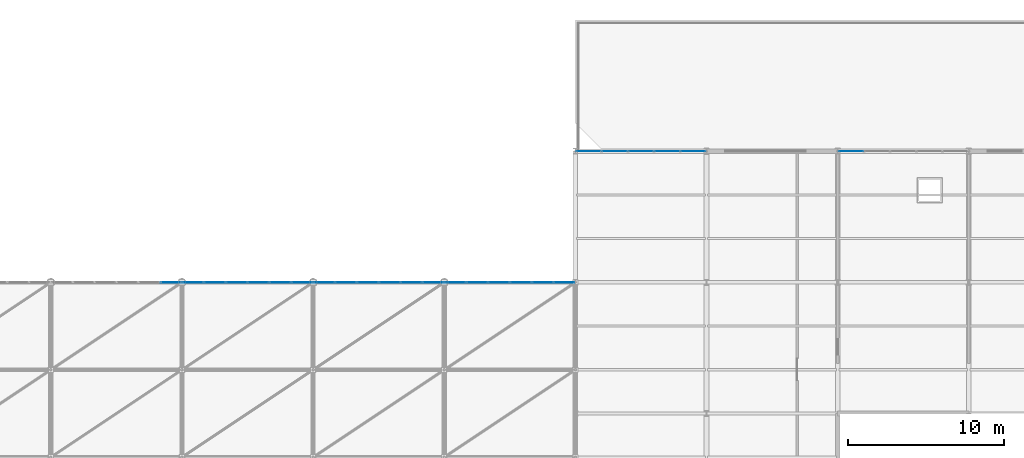
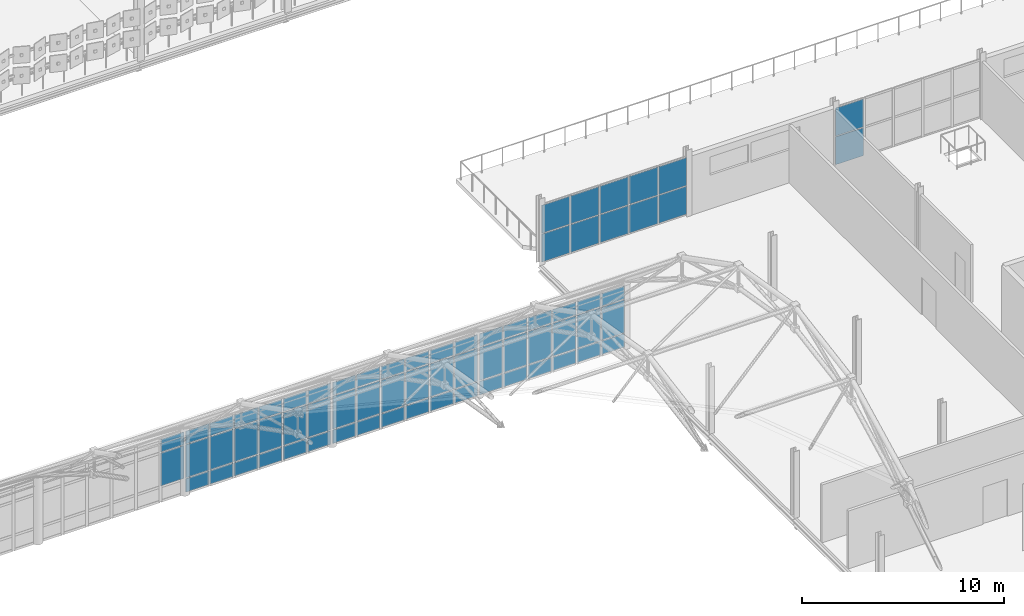
# One storey, part 141 of 184: 68 plates, 6 elements without a shape of their own.
"""IFC4 building model written with IfcOpenShell, lengths in metres."""

from ifc_helpers import new_model, si_unit, direction, frame, origin, origin_2d, place, context, subcontext, project, spatial, rectangle, extrude, material, layer, layer_set, type_object, element, aggregate, save


model = new_model("IFC4")

# Units and contexts
model_context = context("Model", 3, precision=1e-05, world=origin(), true_north=direction((0.0, 1.0)))
body_context = subcontext(model_context, "Body", "Model", "MODEL_VIEW")
ifc_project = project(units=[si_unit("LENGTHUNIT", "METRE"), si_unit("AREAUNIT", "SQUARE_METRE"), si_unit("VOLUMEUNIT", "CUBIC_METRE"), si_unit("PLANEANGLEUNIT", "RADIAN"), si_unit("MASSUNIT", "GRAM", prefix="KILO")], contexts=[model_context])

# Site, building, storey
site_placement = place(None, origin())
site = spatial("IfcSite", under=ifc_project, at=site_placement, CompositionType="ELEMENT")
building_placement = place(site_placement, origin())
building = spatial("IfcBuilding", under=site, at=building_placement, Name="Qalvenar Corner Mobility Hub", CompositionType="ELEMENT")
storey_placement = place(building_placement, frame((0.0, 0.0, 9.0)))
storey = spatial("IfcBuildingStorey", under=building, at=storey_placement, Name="L02", CompositionType="ELEMENT", Elevation=9.0)

# Curtain wall, plates
ifc_material_1 = material(Name="Anodised Aluminium and Low-E Glazing", Category="aluminium")
ifc_layer_1 = layer(ifc_material_1, 0.179931640625)
ifc_layer_set_1 = layer_set([ifc_layer_1], Name="Anodised Aluminium and Low-E Glazing")
curtain_wall_type_1 = type_object("IfcCurtainWallType", Name="CW-CONC-84X42", PredefinedType="NOTDEFINED", material=ifc_layer_set_1)
curtain_wall_1_placement = place(storey_placement, origin())
curtain_wall_1 = element("IfcCurtainWall", 1, at=curtain_wall_1_placement, inside=storey, type_object=curtain_wall_type_1, Name="Glazed Curtain Wall CW-V1-L02-N3", PredefinedType="NOTDEFINED")
ifc_material_2 = material(Name="Solar-Control Low-E Double Glazing", Category="glass")
ifc_layer_2 = layer(ifc_material_2, 0.028076171875)
ifc_layer_set_2 = layer_set([ifc_layer_2], Name="Solar-Control Low-E Double Glazing")
plate_type = type_object("IfcPlateType", Name="PLT-CWP-GLZ1", PredefinedType="CURTAIN_PANEL", material=ifc_layer_set_2)
plate_1_placement = place(storey_placement, frame((83.284912109375, 33.60009765625, 0.927490234375), z_axis=(0.0, 0.0, 1.0), x_axis=(-1.0, 0.0, 0.0)))
plate_1 = element("IfcPlate", 2, at=plate_1_placement, type_object=plate_type, Name="CW-02 panel 1.2", PredefinedType="CURTAIN_PANEL", context=body_context, shape_type="SweptSolid", body=[
    extrude(rectangle(XDim=1.31005859375, YDim=0.028076171875, at=origin_2d()), origin(), (0.0, 0.0, 1.0), 1.9951171875),
])
plate_2_placement = place(storey_placement, frame((83.284912109375, 33.60009765625, 2.9775390625), z_axis=(0.0, 0.0, 1.0), x_axis=(-1.0, 0.0, 0.0)))
plate_2 = element("IfcPlate", 3, at=plate_2_placement, type_object=plate_type, Name="CW-02 panel 1.3", PredefinedType="CURTAIN_PANEL", context=body_context, shape_type="SweptSolid", body=[
    extrude(rectangle(XDim=1.31005859375, YDim=0.028076171875, at=origin_2d()), origin(), (0.0, 0.0, 1.0), 0.767578125),
])
aggregate(curtain_wall_1, [plate_1, plate_2])

curtain_wall_2_placement = place(storey_placement, origin())
curtain_wall_2 = element("IfcCurtainWall", 4, at=curtain_wall_2_placement, inside=storey, type_object=curtain_wall_type_1, Name="Glazed Curtain Wall CW-V1-L02-N4", PredefinedType="NOTDEFINED")
plate_3_placement = place(storey_placement, frame((91.68505859375, 33.60009765625, 0.05517578125), z_axis=(0.0, 0.0, 1.0), x_axis=(-1.0, 0.0, 0.0)))
plate_3 = element("IfcPlate", 5, at=plate_3_placement, type_object=plate_type, Name="CW-02 panel 1.1", PredefinedType="CURTAIN_PANEL", context=body_context, shape_type="SweptSolid", body=[
    extrude(rectangle(XDim=1.31005859375, YDim=0.028076171875, at=origin_2d()), origin(), (0.0, 0.0, 1.0), 0.8173828125),
])
plate_4_placement = place(storey_placement, frame((91.68505859375, 33.60009765625, 0.927490234375), z_axis=(0.0, 0.0, 1.0), x_axis=(-1.0, 0.0, 0.0)))
plate_4 = element("IfcPlate", 6, at=plate_4_placement, type_object=plate_type, Name="CW-02 panel 1.2", PredefinedType="CURTAIN_PANEL", context=body_context, shape_type="SweptSolid", body=[
    extrude(rectangle(XDim=1.31005859375, YDim=0.028076171875, at=origin_2d()), origin(), (0.0, 0.0, 1.0), 1.9951171875),
])
plate_5_placement = place(storey_placement, frame((91.68505859375, 33.60009765625, 2.9775390625), z_axis=(0.0, 0.0, 1.0), x_axis=(-1.0, 0.0, 0.0)))
plate_5 = element("IfcPlate", 7, at=plate_5_placement, type_object=plate_type, Name="CW-02 panel 1.3", PredefinedType="CURTAIN_PANEL", context=body_context, shape_type="SweptSolid", body=[
    extrude(rectangle(XDim=1.31005859375, YDim=0.028076171875, at=origin_2d()), origin(), (0.0, 0.0, 1.0), 0.767578125),
])
plate_6_placement = place(storey_placement, frame((90.300048828125, 33.60009765625, 0.05517578125), z_axis=(0.0, 0.0, 1.0), x_axis=(-1.0, 0.0, 0.0)))
plate_6 = element("IfcPlate", 8, at=plate_6_placement, type_object=plate_type, Name="CW-02 panel 2.1", PredefinedType="CURTAIN_PANEL", context=body_context, shape_type="SweptSolid", body=[
    extrude(rectangle(XDim=1.340087890625, YDim=0.028076171875, at=origin_2d()), origin(), (0.0, 0.0, 1.0), 0.8173828125),
])
plate_7_placement = place(storey_placement, frame((90.300048828125, 33.60009765625, 0.927490234375), z_axis=(0.0, 0.0, 1.0), x_axis=(-1.0, 0.0, 0.0)))
plate_7 = element("IfcPlate", 9, at=plate_7_placement, type_object=plate_type, Name="CW-02 panel 2.2", PredefinedType="CURTAIN_PANEL", context=body_context, shape_type="SweptSolid", body=[
    extrude(rectangle(XDim=1.340087890625, YDim=0.028076171875, at=origin_2d()), origin(), (0.0, 0.0, 1.0), 1.9951171875),
])
plate_8_placement = place(storey_placement, frame((90.300048828125, 33.60009765625, 2.9775390625), z_axis=(0.0, 0.0, 1.0), x_axis=(-1.0, 0.0, 0.0)))
plate_8 = element("IfcPlate", 10, at=plate_8_placement, type_object=plate_type, Name="CW-02 panel 2.3", PredefinedType="CURTAIN_PANEL", context=body_context, shape_type="SweptSolid", body=[
    extrude(rectangle(XDim=1.340087890625, YDim=0.028076171875, at=origin_2d()), origin(), (0.0, 0.0, 1.0), 0.767578125),
])
plate_9_placement = place(storey_placement, frame((88.89990234375, 33.60009765625, 0.05517578125), z_axis=(0.0, 0.0, 1.0), x_axis=(-1.0, 0.0, 0.0)))
plate_9 = element("IfcPlate", 11, at=plate_9_placement, type_object=plate_type, Name="CW-02 panel 3.1", PredefinedType="CURTAIN_PANEL", context=body_context, shape_type="SweptSolid", body=[
    extrude(rectangle(XDim=1.340087890625, YDim=0.028076171875, at=origin_2d()), origin(), (0.0, 0.0, 1.0), 0.8173828125),
])
plate_10_placement = place(storey_placement, frame((88.89990234375, 33.60009765625, 0.927490234375), z_axis=(0.0, 0.0, 1.0), x_axis=(-1.0, 0.0, 0.0)))
plate_10 = element("IfcPlate", 12, at=plate_10_placement, type_object=plate_type, Name="CW-02 panel 3.2", PredefinedType="CURTAIN_PANEL", context=body_context, shape_type="SweptSolid", body=[
    extrude(rectangle(XDim=1.340087890625, YDim=0.028076171875, at=origin_2d()), origin(), (0.0, 0.0, 1.0), 1.9951171875),
])
plate_11_placement = place(storey_placement, frame((88.89990234375, 33.60009765625, 2.9775390625), z_axis=(0.0, 0.0, 1.0), x_axis=(-1.0, 0.0, 0.0)))
plate_11 = element("IfcPlate", 13, at=plate_11_placement, type_object=plate_type, Name="CW-02 panel 3.3", PredefinedType="CURTAIN_PANEL", context=body_context, shape_type="SweptSolid", body=[
    extrude(rectangle(XDim=1.340087890625, YDim=0.028076171875, at=origin_2d()), origin(), (0.0, 0.0, 1.0), 0.767578125),
])
plate_12_placement = place(storey_placement, frame((87.5, 33.60009765625, 0.05517578125), z_axis=(0.0, 0.0, 1.0), x_axis=(-1.0, 0.0, 0.0)))
plate_12 = element("IfcPlate", 14, at=plate_12_placement, type_object=plate_type, Name="CW-02 panel 4.1", PredefinedType="CURTAIN_PANEL", context=body_context, shape_type="SweptSolid", body=[
    extrude(rectangle(XDim=1.340087890625, YDim=0.028076171875, at=origin_2d()), origin(), (0.0, 0.0, 1.0), 0.8173828125),
])
plate_13_placement = place(storey_placement, frame((87.5, 33.60009765625, 0.927490234375), z_axis=(0.0, 0.0, 1.0), x_axis=(-1.0, 0.0, 0.0)))
plate_13 = element("IfcPlate", 15, at=plate_13_placement, type_object=plate_type, Name="CW-02 panel 4.2", PredefinedType="CURTAIN_PANEL", context=body_context, shape_type="SweptSolid", body=[
    extrude(rectangle(XDim=1.340087890625, YDim=0.028076171875, at=origin_2d()), origin(), (0.0, 0.0, 1.0), 1.9951171875),
])
plate_14_placement = place(storey_placement, frame((87.5, 33.60009765625, 2.9775390625), z_axis=(0.0, 0.0, 1.0), x_axis=(-1.0, 0.0, 0.0)))
plate_14 = element("IfcPlate", 16, at=plate_14_placement, type_object=plate_type, Name="CW-02 panel 4.3", PredefinedType="CURTAIN_PANEL", context=body_context, shape_type="SweptSolid", body=[
    extrude(rectangle(XDim=1.340087890625, YDim=0.028076171875, at=origin_2d()), origin(), (0.0, 0.0, 1.0), 0.767578125),
])
plate_15_placement = place(storey_placement, frame((86.10009765625, 33.60009765625, 0.05517578125), z_axis=(0.0, 0.0, 1.0), x_axis=(-1.0, 0.0, 0.0)))
plate_15 = element("IfcPlate", 17, at=plate_15_placement, type_object=plate_type, Name="CW-02 panel 5.1", PredefinedType="CURTAIN_PANEL", context=body_context, shape_type="SweptSolid", body=[
    extrude(rectangle(XDim=1.340087890625, YDim=0.028076171875, at=origin_2d()), origin(), (0.0, 0.0, 1.0), 0.8173828125),
])
plate_16_placement = place(storey_placement, frame((86.10009765625, 33.60009765625, 0.927490234375), z_axis=(0.0, 0.0, 1.0), x_axis=(-1.0, 0.0, 0.0)))
plate_16 = element("IfcPlate", 18, at=plate_16_placement, type_object=plate_type, Name="CW-02 panel 5.2", PredefinedType="CURTAIN_PANEL", context=body_context, shape_type="SweptSolid", body=[
    extrude(rectangle(XDim=1.340087890625, YDim=0.028076171875, at=origin_2d()), origin(), (0.0, 0.0, 1.0), 1.9951171875),
])
plate_17_placement = place(storey_placement, frame((86.10009765625, 33.60009765625, 2.9775390625), z_axis=(0.0, 0.0, 1.0), x_axis=(-1.0, 0.0, 0.0)))
plate_17 = element("IfcPlate", 19, at=plate_17_placement, type_object=plate_type, Name="CW-02 panel 5.3", PredefinedType="CURTAIN_PANEL", context=body_context, shape_type="SweptSolid", body=[
    extrude(rectangle(XDim=1.340087890625, YDim=0.028076171875, at=origin_2d()), origin(), (0.0, 0.0, 1.0), 0.767578125),
])
plate_18_placement = place(storey_placement, frame((84.715087890625, 33.60009765625, 0.05517578125), z_axis=(0.0, 0.0, 1.0), x_axis=(-1.0, 0.0, 0.0)))
plate_18 = element("IfcPlate", 20, at=plate_18_placement, type_object=plate_type, Name="CW-02 panel 6.1", PredefinedType="CURTAIN_PANEL", context=body_context, shape_type="SweptSolid", body=[
    extrude(rectangle(XDim=1.31005859375, YDim=0.028076171875, at=origin_2d()), origin(), (0.0, 0.0, 1.0), 0.8173828125),
])
plate_19_placement = place(storey_placement, frame((84.715087890625, 33.60009765625, 0.927490234375), z_axis=(0.0, 0.0, 1.0), x_axis=(-1.0, 0.0, 0.0)))
plate_19 = element("IfcPlate", 21, at=plate_19_placement, type_object=plate_type, Name="CW-02 panel 6.2", PredefinedType="CURTAIN_PANEL", context=body_context, shape_type="SweptSolid", body=[
    extrude(rectangle(XDim=1.31005859375, YDim=0.028076171875, at=origin_2d()), origin(), (0.0, 0.0, 1.0), 1.9951171875),
])
plate_20_placement = place(storey_placement, frame((84.715087890625, 33.60009765625, 2.9775390625), z_axis=(0.0, 0.0, 1.0), x_axis=(-1.0, 0.0, 0.0)))
plate_20 = element("IfcPlate", 22, at=plate_20_placement, type_object=plate_type, Name="CW-02 panel 6.3", PredefinedType="CURTAIN_PANEL", context=body_context, shape_type="SweptSolid", body=[
    extrude(rectangle(XDim=1.31005859375, YDim=0.028076171875, at=origin_2d()), origin(), (0.0, 0.0, 1.0), 0.767578125),
])
aggregate(curtain_wall_2, [plate_3, plate_4, plate_5, plate_6, plate_7, plate_8, plate_9, plate_10, plate_11, plate_12, plate_13, plate_14, plate_15, plate_16, plate_17, plate_18, plate_19, plate_20])

curtain_wall_3_placement = place(storey_placement, origin())
curtain_wall_3 = element("IfcCurtainWall", 23, at=curtain_wall_3_placement, inside=storey, type_object=curtain_wall_type_1, Name="Glazed Curtain Wall CW-V1-L02-N5", PredefinedType="NOTDEFINED")
plate_21_placement = place(storey_placement, frame((100.0849609375, 33.60009765625, 0.05517578125), z_axis=(0.0, 0.0, 1.0), x_axis=(-1.0, 0.0, 0.0)))
plate_21 = element("IfcPlate", 24, at=plate_21_placement, type_object=plate_type, Name="CW-02 panel 1.1", PredefinedType="CURTAIN_PANEL", context=body_context, shape_type="SweptSolid", body=[
    extrude(rectangle(XDim=1.31005859375, YDim=0.028076171875, at=origin_2d()), origin(), (0.0, 0.0, 1.0), 0.8173828125),
])
plate_22_placement = place(storey_placement, frame((100.0849609375, 33.60009765625, 0.927490234375), z_axis=(0.0, 0.0, 1.0), x_axis=(-1.0, 0.0, 0.0)))
plate_22 = element("IfcPlate", 25, at=plate_22_placement, type_object=plate_type, Name="CW-02 panel 1.2", PredefinedType="CURTAIN_PANEL", context=body_context, shape_type="SweptSolid", body=[
    extrude(rectangle(XDim=1.31005859375, YDim=0.028076171875, at=origin_2d()), origin(), (0.0, 0.0, 1.0), 1.9951171875),
])
plate_23_placement = place(storey_placement, frame((100.0849609375, 33.60009765625, 2.9775390625), z_axis=(0.0, 0.0, 1.0), x_axis=(-1.0, 0.0, 0.0)))
plate_23 = element("IfcPlate", 26, at=plate_23_placement, type_object=plate_type, Name="CW-02 panel 1.3", PredefinedType="CURTAIN_PANEL", context=body_context, shape_type="SweptSolid", body=[
    extrude(rectangle(XDim=1.31005859375, YDim=0.028076171875, at=origin_2d()), origin(), (0.0, 0.0, 1.0), 0.767578125),
])
plate_24_placement = place(storey_placement, frame((98.699951171875, 33.60009765625, 0.05517578125), z_axis=(0.0, 0.0, 1.0), x_axis=(-1.0, 0.0, 0.0)))
plate_24 = element("IfcPlate", 27, at=plate_24_placement, type_object=plate_type, Name="CW-02 panel 2.1", PredefinedType="CURTAIN_PANEL", context=body_context, shape_type="SweptSolid", body=[
    extrude(rectangle(XDim=1.340087890625, YDim=0.028076171875, at=origin_2d()), origin(), (0.0, 0.0, 1.0), 0.8173828125),
])
plate_25_placement = place(storey_placement, frame((98.699951171875, 33.60009765625, 0.927490234375), z_axis=(0.0, 0.0, 1.0), x_axis=(-1.0, 0.0, 0.0)))
plate_25 = element("IfcPlate", 28, at=plate_25_placement, type_object=plate_type, Name="CW-02 panel 2.2", PredefinedType="CURTAIN_PANEL", context=body_context, shape_type="SweptSolid", body=[
    extrude(rectangle(XDim=1.340087890625, YDim=0.028076171875, at=origin_2d()), origin(), (0.0, 0.0, 1.0), 1.9951171875),
])
plate_26_placement = place(storey_placement, frame((98.699951171875, 33.60009765625, 2.9775390625), z_axis=(0.0, 0.0, 1.0), x_axis=(-1.0, 0.0, 0.0)))
plate_26 = element("IfcPlate", 29, at=plate_26_placement, type_object=plate_type, Name="CW-02 panel 2.3", PredefinedType="CURTAIN_PANEL", context=body_context, shape_type="SweptSolid", body=[
    extrude(rectangle(XDim=1.340087890625, YDim=0.028076171875, at=origin_2d()), origin(), (0.0, 0.0, 1.0), 0.767578125),
])
plate_27_placement = place(storey_placement, frame((97.300048828125, 33.60009765625, 0.05517578125), z_axis=(0.0, 0.0, 1.0), x_axis=(-1.0, 0.0, 0.0)))
plate_27 = element("IfcPlate", 30, at=plate_27_placement, type_object=plate_type, Name="CW-02 panel 3.1", PredefinedType="CURTAIN_PANEL", context=body_context, shape_type="SweptSolid", body=[
    extrude(rectangle(XDim=1.340087890625, YDim=0.028076171875, at=origin_2d()), origin(), (0.0, 0.0, 1.0), 0.8173828125),
])
plate_28_placement = place(storey_placement, frame((97.300048828125, 33.60009765625, 0.927490234375), z_axis=(0.0, 0.0, 1.0), x_axis=(-1.0, 0.0, 0.0)))
plate_28 = element("IfcPlate", 31, at=plate_28_placement, type_object=plate_type, Name="CW-02 panel 3.2", PredefinedType="CURTAIN_PANEL", context=body_context, shape_type="SweptSolid", body=[
    extrude(rectangle(XDim=1.340087890625, YDim=0.028076171875, at=origin_2d()), origin(), (0.0, 0.0, 1.0), 1.9951171875),
])
plate_29_placement = place(storey_placement, frame((97.300048828125, 33.60009765625, 2.9775390625), z_axis=(0.0, 0.0, 1.0), x_axis=(-1.0, 0.0, 0.0)))
plate_29 = element("IfcPlate", 32, at=plate_29_placement, type_object=plate_type, Name="CW-02 panel 3.3", PredefinedType="CURTAIN_PANEL", context=body_context, shape_type="SweptSolid", body=[
    extrude(rectangle(XDim=1.340087890625, YDim=0.028076171875, at=origin_2d()), origin(), (0.0, 0.0, 1.0), 0.767578125),
])
plate_30_placement = place(storey_placement, frame((95.89990234375, 33.60009765625, 0.05517578125), z_axis=(0.0, 0.0, 1.0), x_axis=(-1.0, 0.0, 0.0)))
plate_30 = element("IfcPlate", 33, at=plate_30_placement, type_object=plate_type, Name="CW-02 panel 4.1", PredefinedType="CURTAIN_PANEL", context=body_context, shape_type="SweptSolid", body=[
    extrude(rectangle(XDim=1.340087890625, YDim=0.028076171875, at=origin_2d()), origin(), (0.0, 0.0, 1.0), 0.8173828125),
])
plate_31_placement = place(storey_placement, frame((95.89990234375, 33.60009765625, 0.927490234375), z_axis=(0.0, 0.0, 1.0), x_axis=(-1.0, 0.0, 0.0)))
plate_31 = element("IfcPlate", 34, at=plate_31_placement, type_object=plate_type, Name="CW-02 panel 4.2", PredefinedType="CURTAIN_PANEL", context=body_context, shape_type="SweptSolid", body=[
    extrude(rectangle(XDim=1.340087890625, YDim=0.028076171875, at=origin_2d()), origin(), (0.0, 0.0, 1.0), 1.9951171875),
])
plate_32_placement = place(storey_placement, frame((95.89990234375, 33.60009765625, 2.9775390625), z_axis=(0.0, 0.0, 1.0), x_axis=(-1.0, 0.0, 0.0)))
plate_32 = element("IfcPlate", 35, at=plate_32_placement, type_object=plate_type, Name="CW-02 panel 4.3", PredefinedType="CURTAIN_PANEL", context=body_context, shape_type="SweptSolid", body=[
    extrude(rectangle(XDim=1.340087890625, YDim=0.028076171875, at=origin_2d()), origin(), (0.0, 0.0, 1.0), 0.767578125),
])
plate_33_placement = place(storey_placement, frame((94.5, 33.60009765625, 0.05517578125), z_axis=(0.0, 0.0, 1.0), x_axis=(-1.0, 0.0, 0.0)))
plate_33 = element("IfcPlate", 36, at=plate_33_placement, type_object=plate_type, Name="CW-02 panel 5.1", PredefinedType="CURTAIN_PANEL", context=body_context, shape_type="SweptSolid", body=[
    extrude(rectangle(XDim=1.340087890625, YDim=0.028076171875, at=origin_2d()), origin(), (0.0, 0.0, 1.0), 0.8173828125),
])
plate_34_placement = place(storey_placement, frame((94.5, 33.60009765625, 0.927490234375), z_axis=(0.0, 0.0, 1.0), x_axis=(-1.0, 0.0, 0.0)))
plate_34 = element("IfcPlate", 37, at=plate_34_placement, type_object=plate_type, Name="CW-02 panel 5.2", PredefinedType="CURTAIN_PANEL", context=body_context, shape_type="SweptSolid", body=[
    extrude(rectangle(XDim=1.340087890625, YDim=0.028076171875, at=origin_2d()), origin(), (0.0, 0.0, 1.0), 1.9951171875),
])
plate_35_placement = place(storey_placement, frame((94.5, 33.60009765625, 2.9775390625), z_axis=(0.0, 0.0, 1.0), x_axis=(-1.0, 0.0, 0.0)))
plate_35 = element("IfcPlate", 38, at=plate_35_placement, type_object=plate_type, Name="CW-02 panel 5.3", PredefinedType="CURTAIN_PANEL", context=body_context, shape_type="SweptSolid", body=[
    extrude(rectangle(XDim=1.340087890625, YDim=0.028076171875, at=origin_2d()), origin(), (0.0, 0.0, 1.0), 0.767578125),
])
plate_36_placement = place(storey_placement, frame((93.114990234375, 33.60009765625, 0.05517578125), z_axis=(0.0, 0.0, 1.0), x_axis=(-1.0, 0.0, 0.0)))
plate_36 = element("IfcPlate", 39, at=plate_36_placement, type_object=plate_type, Name="CW-02 panel 6.1", PredefinedType="CURTAIN_PANEL", context=body_context, shape_type="SweptSolid", body=[
    extrude(rectangle(XDim=1.31005859375, YDim=0.028076171875, at=origin_2d()), origin(), (0.0, 0.0, 1.0), 0.8173828125),
])
plate_37_placement = place(storey_placement, frame((93.114990234375, 33.60009765625, 0.927490234375), z_axis=(0.0, 0.0, 1.0), x_axis=(-1.0, 0.0, 0.0)))
plate_37 = element("IfcPlate", 40, at=plate_37_placement, type_object=plate_type, Name="CW-02 panel 6.2", PredefinedType="CURTAIN_PANEL", context=body_context, shape_type="SweptSolid", body=[
    extrude(rectangle(XDim=1.31005859375, YDim=0.028076171875, at=origin_2d()), origin(), (0.0, 0.0, 1.0), 1.9951171875),
])
plate_38_placement = place(storey_placement, frame((93.114990234375, 33.60009765625, 2.9775390625), z_axis=(0.0, 0.0, 1.0), x_axis=(-1.0, 0.0, 0.0)))
plate_38 = element("IfcPlate", 41, at=plate_38_placement, type_object=plate_type, Name="CW-02 panel 6.3", PredefinedType="CURTAIN_PANEL", context=body_context, shape_type="SweptSolid", body=[
    extrude(rectangle(XDim=1.31005859375, YDim=0.028076171875, at=origin_2d()), origin(), (0.0, 0.0, 1.0), 0.767578125),
])
aggregate(curtain_wall_3, [plate_21, plate_22, plate_23, plate_24, plate_25, plate_26, plate_27, plate_28, plate_29, plate_30, plate_31, plate_32, plate_33, plate_34, plate_35, plate_36, plate_37, plate_38])

curtain_wall_4_placement = place(storey_placement, origin())
curtain_wall_4 = element("IfcCurtainWall", 42, at=curtain_wall_4_placement, inside=storey, type_object=curtain_wall_type_1, Name="Glazed Curtain Wall CW-V1-L02-N6", PredefinedType="NOTDEFINED")
plate_39_placement = place(storey_placement, frame((108.485107421875, 33.60009765625, 0.05517578125), z_axis=(0.0, 0.0, 1.0), x_axis=(-1.0, 0.0, 0.0)))
plate_39 = element("IfcPlate", 43, at=plate_39_placement, type_object=plate_type, Name="CW-02 panel 1.1", PredefinedType="CURTAIN_PANEL", context=body_context, shape_type="SweptSolid", body=[
    extrude(rectangle(XDim=1.31005859375, YDim=0.028076171875, at=origin_2d()), origin(), (0.0, 0.0, 1.0), 0.8173828125),
])
plate_40_placement = place(storey_placement, frame((108.485107421875, 33.60009765625, 0.927490234375), z_axis=(0.0, 0.0, 1.0), x_axis=(-1.0, 0.0, 0.0)))
plate_40 = element("IfcPlate", 44, at=plate_40_placement, type_object=plate_type, Name="CW-02 panel 1.2", PredefinedType="CURTAIN_PANEL", context=body_context, shape_type="SweptSolid", body=[
    extrude(rectangle(XDim=1.31005859375, YDim=0.028076171875, at=origin_2d()), origin(), (0.0, 0.0, 1.0), 1.9951171875),
])
plate_41_placement = place(storey_placement, frame((108.485107421875, 33.60009765625, 2.9775390625), z_axis=(0.0, 0.0, 1.0), x_axis=(-1.0, 0.0, 0.0)))
plate_41 = element("IfcPlate", 45, at=plate_41_placement, type_object=plate_type, Name="CW-02 panel 1.3", PredefinedType="CURTAIN_PANEL", context=body_context, shape_type="SweptSolid", body=[
    extrude(rectangle(XDim=1.31005859375, YDim=0.028076171875, at=origin_2d()), origin(), (0.0, 0.0, 1.0), 0.767578125),
])
plate_42_placement = place(storey_placement, frame((107.10009765625, 33.60009765625, 0.05517578125), z_axis=(0.0, 0.0, 1.0), x_axis=(-1.0, 0.0, 0.0)))
plate_42 = element("IfcPlate", 46, at=plate_42_placement, type_object=plate_type, Name="CW-02 panel 2.1", PredefinedType="CURTAIN_PANEL", context=body_context, shape_type="SweptSolid", body=[
    extrude(rectangle(XDim=1.340087890625, YDim=0.028076171875, at=origin_2d()), origin(), (0.0, 0.0, 1.0), 0.8173828125),
])
plate_43_placement = place(storey_placement, frame((107.10009765625, 33.60009765625, 0.927490234375), z_axis=(0.0, 0.0, 1.0), x_axis=(-1.0, 0.0, 0.0)))
plate_43 = element("IfcPlate", 47, at=plate_43_placement, type_object=plate_type, Name="CW-02 panel 2.2", PredefinedType="CURTAIN_PANEL", context=body_context, shape_type="SweptSolid", body=[
    extrude(rectangle(XDim=1.340087890625, YDim=0.028076171875, at=origin_2d()), origin(), (0.0, 0.0, 1.0), 1.9951171875),
])
plate_44_placement = place(storey_placement, frame((107.10009765625, 33.60009765625, 2.9775390625), z_axis=(0.0, 0.0, 1.0), x_axis=(-1.0, 0.0, 0.0)))
plate_44 = element("IfcPlate", 48, at=plate_44_placement, type_object=plate_type, Name="CW-02 panel 2.3", PredefinedType="CURTAIN_PANEL", context=body_context, shape_type="SweptSolid", body=[
    extrude(rectangle(XDim=1.340087890625, YDim=0.028076171875, at=origin_2d()), origin(), (0.0, 0.0, 1.0), 0.767578125),
])
plate_45_placement = place(storey_placement, frame((105.699951171875, 33.60009765625, 0.05517578125), z_axis=(0.0, 0.0, 1.0), x_axis=(-1.0, 0.0, 0.0)))
plate_45 = element("IfcPlate", 49, at=plate_45_placement, type_object=plate_type, Name="CW-02 panel 3.1", PredefinedType="CURTAIN_PANEL", context=body_context, shape_type="SweptSolid", body=[
    extrude(rectangle(XDim=1.340087890625, YDim=0.028076171875, at=origin_2d()), origin(), (0.0, 0.0, 1.0), 0.8173828125),
])
plate_46_placement = place(storey_placement, frame((105.699951171875, 33.60009765625, 0.927490234375), z_axis=(0.0, 0.0, 1.0), x_axis=(-1.0, 0.0, 0.0)))
plate_46 = element("IfcPlate", 50, at=plate_46_placement, type_object=plate_type, Name="CW-02 panel 3.2", PredefinedType="CURTAIN_PANEL", context=body_context, shape_type="SweptSolid", body=[
    extrude(rectangle(XDim=1.340087890625, YDim=0.028076171875, at=origin_2d()), origin(), (0.0, 0.0, 1.0), 1.9951171875),
])
plate_47_placement = place(storey_placement, frame((105.699951171875, 33.60009765625, 2.9775390625), z_axis=(0.0, 0.0, 1.0), x_axis=(-1.0, 0.0, 0.0)))
plate_47 = element("IfcPlate", 51, at=plate_47_placement, type_object=plate_type, Name="CW-02 panel 3.3", PredefinedType="CURTAIN_PANEL", context=body_context, shape_type="SweptSolid", body=[
    extrude(rectangle(XDim=1.340087890625, YDim=0.028076171875, at=origin_2d()), origin(), (0.0, 0.0, 1.0), 0.767578125),
])
plate_48_placement = place(storey_placement, frame((104.300048828125, 33.60009765625, 0.05517578125), z_axis=(0.0, 0.0, 1.0), x_axis=(-1.0, 0.0, 0.0)))
plate_48 = element("IfcPlate", 52, at=plate_48_placement, type_object=plate_type, Name="CW-02 panel 4.1", PredefinedType="CURTAIN_PANEL", context=body_context, shape_type="SweptSolid", body=[
    extrude(rectangle(XDim=1.340087890625, YDim=0.028076171875, at=origin_2d()), origin(), (0.0, 0.0, 1.0), 0.8173828125),
])
plate_49_placement = place(storey_placement, frame((104.300048828125, 33.60009765625, 0.927490234375), z_axis=(0.0, 0.0, 1.0), x_axis=(-1.0, 0.0, 0.0)))
plate_49 = element("IfcPlate", 53, at=plate_49_placement, type_object=plate_type, Name="CW-02 panel 4.2", PredefinedType="CURTAIN_PANEL", context=body_context, shape_type="SweptSolid", body=[
    extrude(rectangle(XDim=1.340087890625, YDim=0.028076171875, at=origin_2d()), origin(), (0.0, 0.0, 1.0), 1.9951171875),
])
plate_50_placement = place(storey_placement, frame((104.300048828125, 33.60009765625, 2.9775390625), z_axis=(0.0, 0.0, 1.0), x_axis=(-1.0, 0.0, 0.0)))
plate_50 = element("IfcPlate", 54, at=plate_50_placement, type_object=plate_type, Name="CW-02 panel 4.3", PredefinedType="CURTAIN_PANEL", context=body_context, shape_type="SweptSolid", body=[
    extrude(rectangle(XDim=1.340087890625, YDim=0.028076171875, at=origin_2d()), origin(), (0.0, 0.0, 1.0), 0.767578125),
])
plate_51_placement = place(storey_placement, frame((102.89990234375, 33.60009765625, 0.05517578125), z_axis=(0.0, 0.0, 1.0), x_axis=(-1.0, 0.0, 0.0)))
plate_51 = element("IfcPlate", 55, at=plate_51_placement, type_object=plate_type, Name="CW-02 panel 5.1", PredefinedType="CURTAIN_PANEL", context=body_context, shape_type="SweptSolid", body=[
    extrude(rectangle(XDim=1.340087890625, YDim=0.028076171875, at=origin_2d()), origin(), (0.0, 0.0, 1.0), 0.8173828125),
])
plate_52_placement = place(storey_placement, frame((102.89990234375, 33.60009765625, 0.927490234375), z_axis=(0.0, 0.0, 1.0), x_axis=(-1.0, 0.0, 0.0)))
plate_52 = element("IfcPlate", 56, at=plate_52_placement, type_object=plate_type, Name="CW-02 panel 5.2", PredefinedType="CURTAIN_PANEL", context=body_context, shape_type="SweptSolid", body=[
    extrude(rectangle(XDim=1.340087890625, YDim=0.028076171875, at=origin_2d()), origin(), (0.0, 0.0, 1.0), 1.9951171875),
])
plate_53_placement = place(storey_placement, frame((102.89990234375, 33.60009765625, 2.9775390625), z_axis=(0.0, 0.0, 1.0), x_axis=(-1.0, 0.0, 0.0)))
plate_53 = element("IfcPlate", 57, at=plate_53_placement, type_object=plate_type, Name="CW-02 panel 5.3", PredefinedType="CURTAIN_PANEL", context=body_context, shape_type="SweptSolid", body=[
    extrude(rectangle(XDim=1.340087890625, YDim=0.028076171875, at=origin_2d()), origin(), (0.0, 0.0, 1.0), 0.767578125),
])
plate_54_placement = place(storey_placement, frame((101.514892578125, 33.60009765625, 0.05517578125), z_axis=(0.0, 0.0, 1.0), x_axis=(-1.0, 0.0, 0.0)))
plate_54 = element("IfcPlate", 58, at=plate_54_placement, type_object=plate_type, Name="CW-02 panel 6.1", PredefinedType="CURTAIN_PANEL", context=body_context, shape_type="SweptSolid", body=[
    extrude(rectangle(XDim=1.31005859375, YDim=0.028076171875, at=origin_2d()), origin(), (0.0, 0.0, 1.0), 0.8173828125),
])
plate_55_placement = place(storey_placement, frame((101.514892578125, 33.60009765625, 0.927490234375), z_axis=(0.0, 0.0, 1.0), x_axis=(-1.0, 0.0, 0.0)))
plate_55 = element("IfcPlate", 59, at=plate_55_placement, type_object=plate_type, Name="CW-02 panel 6.2", PredefinedType="CURTAIN_PANEL", context=body_context, shape_type="SweptSolid", body=[
    extrude(rectangle(XDim=1.31005859375, YDim=0.028076171875, at=origin_2d()), origin(), (0.0, 0.0, 1.0), 1.9951171875),
])
plate_56_placement = place(storey_placement, frame((101.514892578125, 33.60009765625, 2.9775390625), z_axis=(0.0, 0.0, 1.0), x_axis=(-1.0, 0.0, 0.0)))
plate_56 = element("IfcPlate", 60, at=plate_56_placement, type_object=plate_type, Name="CW-02 panel 6.3", PredefinedType="CURTAIN_PANEL", context=body_context, shape_type="SweptSolid", body=[
    extrude(rectangle(XDim=1.31005859375, YDim=0.028076171875, at=origin_2d()), origin(), (0.0, 0.0, 1.0), 0.767578125),
])
aggregate(curtain_wall_4, [plate_39, plate_40, plate_41, plate_42, plate_43, plate_44, plate_45, plate_46, plate_47, plate_48, plate_49, plate_50, plate_51, plate_52, plate_53, plate_54, plate_55, plate_56])

ifc_layer_3 = layer(ifc_material_1, 0.14990234375)
ifc_layer_set_3 = layer_set([ifc_layer_3], Name="Anodised Aluminium and Low-E Glazing")
curtain_wall_type_2 = type_object("IfcCurtainWallType", Name="CW-WKS-84X44", PredefinedType="NOTDEFINED", material=ifc_layer_set_3)
curtain_wall_5_placement = place(storey_placement, origin())
curtain_wall_5 = element("IfcCurtainWall", 61, at=curtain_wall_5_placement, inside=storey, type_object=curtain_wall_type_2, Name="Glazed Curtain Wall CW-V6-L02-N0", PredefinedType="NOTDEFINED")
plate_57_placement = place(storey_placement, frame((116.7451171875, 42.0, 0.054931640625), z_axis=(0.0, 0.0, 1.0), x_axis=(-1.0, 0.0, 0.0)))
plate_57 = element("IfcPlate", 62, at=plate_57_placement, type_object=plate_type, Name="CW-09 panel 1.1", PredefinedType="CURTAIN_PANEL", context=body_context, shape_type="SweptSolid", body=[
    extrude(rectangle(XDim=1.590087890625, YDim=0.028076171875, at=origin_2d()), origin(), (0.0, 0.0, 1.0), 1.6826171875),
])
plate_58_placement = place(storey_placement, frame((116.7451171875, 42.0, 1.79248046875), z_axis=(0.0, 0.0, 1.0), x_axis=(-1.0, 0.0, 0.0)))
plate_58 = element("IfcPlate", 63, at=plate_58_placement, type_object=plate_type, Name="CW-09 panel 1.2", PredefinedType="CURTAIN_PANEL", context=body_context, shape_type="SweptSolid", body=[
    extrude(rectangle(XDim=1.590087890625, YDim=0.028076171875, at=origin_2d()), origin(), (0.0, 0.0, 1.0), 1.6826171875),
])
plate_59_placement = place(storey_placement, frame((115.080078125, 42.0, 0.054931640625), z_axis=(0.0, 0.0, 1.0), x_axis=(-1.0, 0.0, 0.0)))
plate_59 = element("IfcPlate", 64, at=plate_59_placement, type_object=plate_type, Name="CW-09 panel 2.1", PredefinedType="CURTAIN_PANEL", context=body_context, shape_type="SweptSolid", body=[
    extrude(rectangle(XDim=1.6201171875, YDim=0.028076171875, at=origin_2d()), origin(), (0.0, 0.0, 1.0), 1.6826171875),
])
plate_60_placement = place(storey_placement, frame((115.080078125, 42.0, 1.79248046875), z_axis=(0.0, 0.0, 1.0), x_axis=(-1.0, 0.0, 0.0)))
plate_60 = element("IfcPlate", 65, at=plate_60_placement, type_object=plate_type, Name="CW-09 panel 2.2", PredefinedType="CURTAIN_PANEL", context=body_context, shape_type="SweptSolid", body=[
    extrude(rectangle(XDim=1.6201171875, YDim=0.028076171875, at=origin_2d()), origin(), (0.0, 0.0, 1.0), 1.6826171875),
])
plate_61_placement = place(storey_placement, frame((113.39990234375, 42.0, 0.054931640625), z_axis=(0.0, 0.0, 1.0), x_axis=(-1.0, 0.0, 0.0)))
plate_61 = element("IfcPlate", 66, at=plate_61_placement, type_object=plate_type, Name="CW-09 panel 3.1", PredefinedType="CURTAIN_PANEL", context=body_context, shape_type="SweptSolid", body=[
    extrude(rectangle(XDim=1.6201171875, YDim=0.028076171875, at=origin_2d()), origin(), (0.0, 0.0, 1.0), 1.6826171875),
])
plate_62_placement = place(storey_placement, frame((113.39990234375, 42.0, 1.79248046875), z_axis=(0.0, 0.0, 1.0), x_axis=(-1.0, 0.0, 0.0)))
plate_62 = element("IfcPlate", 67, at=plate_62_placement, type_object=plate_type, Name="CW-09 panel 3.2", PredefinedType="CURTAIN_PANEL", context=body_context, shape_type="SweptSolid", body=[
    extrude(rectangle(XDim=1.6201171875, YDim=0.028076171875, at=origin_2d()), origin(), (0.0, 0.0, 1.0), 1.6826171875),
])
plate_63_placement = place(storey_placement, frame((111.719970703125, 42.0, 0.054931640625), z_axis=(0.0, 0.0, 1.0), x_axis=(-1.0, 0.0, 0.0)))
plate_63 = element("IfcPlate", 68, at=plate_63_placement, type_object=plate_type, Name="CW-09 panel 4.1", PredefinedType="CURTAIN_PANEL", context=body_context, shape_type="SweptSolid", body=[
    extrude(rectangle(XDim=1.6201171875, YDim=0.028076171875, at=origin_2d()), origin(), (0.0, 0.0, 1.0), 1.6826171875),
])
plate_64_placement = place(storey_placement, frame((111.719970703125, 42.0, 1.79248046875), z_axis=(0.0, 0.0, 1.0), x_axis=(-1.0, 0.0, 0.0)))
plate_64 = element("IfcPlate", 69, at=plate_64_placement, type_object=plate_type, Name="CW-09 panel 4.2", PredefinedType="CURTAIN_PANEL", context=body_context, shape_type="SweptSolid", body=[
    extrude(rectangle(XDim=1.6201171875, YDim=0.028076171875, at=origin_2d()), origin(), (0.0, 0.0, 1.0), 1.6826171875),
])
plate_65_placement = place(storey_placement, frame((110.054931640625, 42.0, 0.054931640625), z_axis=(0.0, 0.0, 1.0), x_axis=(-1.0, 0.0, 0.0)))
plate_65 = element("IfcPlate", 70, at=plate_65_placement, type_object=plate_type, Name="CW-09 panel 5.1", PredefinedType="CURTAIN_PANEL", context=body_context, shape_type="SweptSolid", body=[
    extrude(rectangle(XDim=1.590087890625, YDim=0.028076171875, at=origin_2d()), origin(), (0.0, 0.0, 1.0), 1.6826171875),
])
plate_66_placement = place(storey_placement, frame((110.054931640625, 42.0, 1.79248046875), z_axis=(0.0, 0.0, 1.0), x_axis=(-1.0, 0.0, 0.0)))
plate_66 = element("IfcPlate", 71, at=plate_66_placement, type_object=plate_type, Name="CW-09 panel 5.2", PredefinedType="CURTAIN_PANEL", context=body_context, shape_type="SweptSolid", body=[
    extrude(rectangle(XDim=1.590087890625, YDim=0.028076171875, at=origin_2d()), origin(), (0.0, 0.0, 1.0), 1.6826171875),
])
aggregate(curtain_wall_5, [plate_57, plate_58, plate_59, plate_60, plate_61, plate_62, plate_63, plate_64, plate_65, plate_66])

curtain_wall_6_placement = place(storey_placement, origin())
curtain_wall_6 = element("IfcCurtainWall", 72, at=curtain_wall_6_placement, inside=storey, type_object=curtain_wall_type_2, Name="Glazed Curtain Wall CW-V6-L02-N2", PredefinedType="NOTDEFINED")
plate_67_placement = place(storey_placement, frame((126.85498046875, 42.0, 0.054931640625), z_axis=(0.0, 0.0, 1.0), x_axis=(-1.0, 0.0, 0.0)))
plate_67 = element("IfcPlate", 73, at=plate_67_placement, type_object=plate_type, Name="CW-09 panel 5.1", PredefinedType="CURTAIN_PANEL", context=body_context, shape_type="SweptSolid", body=[
    extrude(rectangle(XDim=1.590087890625, YDim=0.028076171875, at=origin_2d()), origin(), (0.0, 0.0, 1.0), 1.6826171875),
])
plate_68_placement = place(storey_placement, frame((126.85498046875, 42.0, 1.79248046875), z_axis=(0.0, 0.0, 1.0), x_axis=(-1.0, 0.0, 0.0)))
plate_68 = element("IfcPlate", 74, at=plate_68_placement, type_object=plate_type, Name="CW-09 panel 5.2", PredefinedType="CURTAIN_PANEL", context=body_context, shape_type="SweptSolid", body=[
    extrude(rectangle(XDim=1.590087890625, YDim=0.028076171875, at=origin_2d()), origin(), (0.0, 0.0, 1.0), 1.6826171875),
])
aggregate(curtain_wall_6, [plate_67, plate_68])

save(model, "model.ifc")
